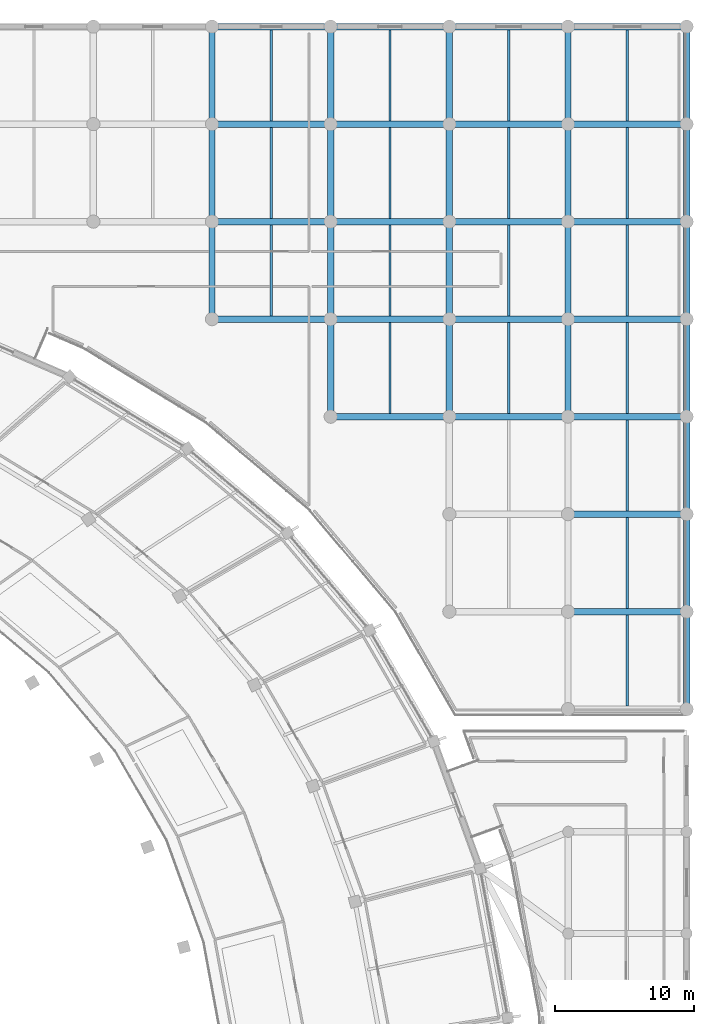
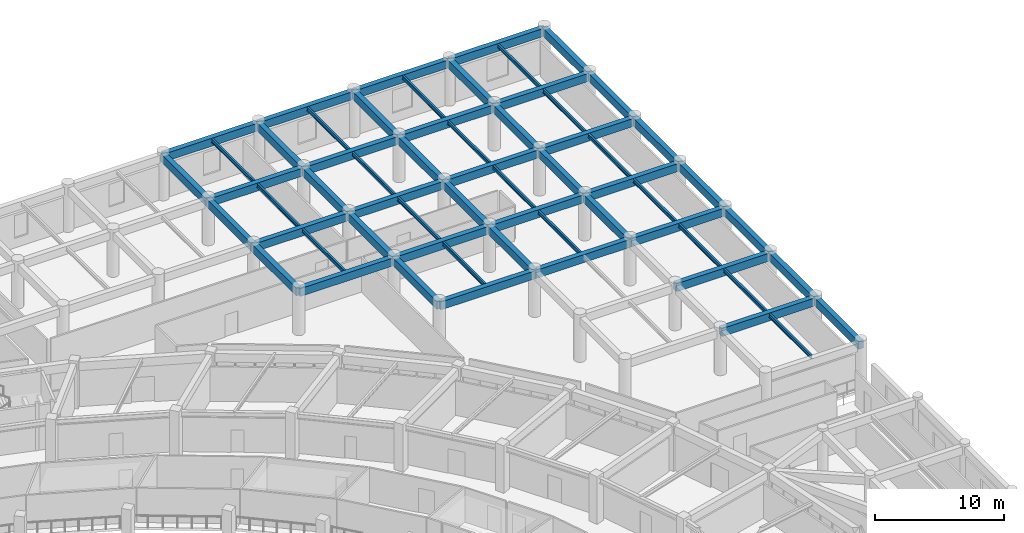
# One storey, part 70 of 141: 61 beams.
"""IFC4 building model written with IfcOpenShell, lengths in metres."""

import ifcopenshell
import ifcopenshell.guid

model = None  # the IFC model being written
_history = None  # IfcOwnerHistory: only IFC2X3 demands one
_inside = {}  # id of a spatial element -> (the spatial element, [elements in it])
_under = {}  # id of a project, library or spatial element -> (it, [spatial elements below it])
_declared = {}  # id of a project -> (the project, [libraries it declares])
_typed = {}  # id of a type object -> (the type object, [elements of that type])
_made_of = {}  # id of a material, layer set ... -> (it, [elements and type objects made of it])


def new_model(schema):
    """Start an empty IFC model of exactly this schema.

    Asked for "IFC4X3", IfcOpenShell would pick the latest addendum, in which some entities
    have other attributes; the version numbers below select the first issue.
    IFC2X3 requires an IfcOwnerHistory on every rooted entity: one is made here for all.
    """
    global model, _history
    if schema == "IFC4X3":
        model = ifcopenshell.file(schema_version=(4, 3, 0, 0))
    else:
        model = ifcopenshell.file(schema=schema)
    _inside.clear()
    _under.clear()
    _declared.clear()
    _typed.clear()
    _made_of.clear()
    _history = None
    if model.schema == "IFC2X3":
        org = make("IfcOrganization", Name="unknown")
        user = make(
            "IfcPersonAndOrganization",
            ThePerson=make("IfcPerson", FamilyName="unknown"),
            TheOrganization=org,
        )
        app = make(
            "IfcApplication",
            ApplicationDeveloper=org,
            Version="unknown",
            ApplicationFullName="unknown",
            ApplicationIdentifier="unknown",
        )
        _history = make(
            "IfcOwnerHistory",
            OwningUser=user,
            OwningApplication=app,
            ChangeAction="ADDED",
            CreationDate=0,
        )
    return model


def make(cls, **values):
    """One entity of the class cls with the attributes given. An attribute that is None is left unset."""
    return model.create_entity(
        cls, **{name: value for name, value in values.items() if value is not None}
    )


def rooted(cls, **values):
    """An entity with a GlobalId (a new one), such as an element, a storey or a relation."""
    return make(cls, GlobalId=ifcopenshell.guid.new(), OwnerHistory=_history, **values)


def si_unit(unit_type, name, prefix=None):
    """IfcSIUnit, for example si_unit("LENGTHUNIT", "METRE", prefix="MILLI")."""
    return make("IfcSIUnit", UnitType=unit_type, Prefix=prefix, Name=name)


def assignment(units):
    """IfcUnitAssignment: the units of a project."""
    return None if units is None else make("IfcUnitAssignment", Units=units)


def point(xyz):
    """IfcCartesianPoint."""
    return None if xyz is None else make("IfcCartesianPoint", Coordinates=xyz)


def direction(xyz):
    """IfcDirection."""
    return None if xyz is None else make("IfcDirection", DirectionRatios=xyz)


def frame(location, z_axis=None, x_axis=None):
    """IfcAxis2Placement3D, a coordinate frame: its origin and axes. An axis left out is left unset."""
    return make(
        "IfcAxis2Placement3D",
        Location=point(location),
        Axis=direction(z_axis),
        RefDirection=direction(x_axis),
    )


def frame_2d(location, x_axis=None):
    """IfcAxis2Placement2D, a coordinate frame in the plane: its origin and x axis."""
    return make(
        "IfcAxis2Placement2D", Location=point(location), RefDirection=direction(x_axis)
    )


def origin():
    """The frame at (0, 0, 0) with its axes left unset."""
    return frame((0.0, 0.0, 0.0))


def origin_2d():
    """The frame at (0, 0) in the plane with its x axis left unset."""
    return frame_2d((0.0, 0.0))


def place(relative_to, where):
    """IfcLocalPlacement: puts the frame where relative to a parent placement (None: the world)."""
    return make(
        "IfcLocalPlacement", PlacementRelTo=relative_to, RelativePlacement=where
    )


def context(
    kind, dimensions, precision=None, world=None, true_north=None, identifier=None
):
    """IfcGeometricRepresentationContext, for example the 3D "Model" context."""
    return make(
        "IfcGeometricRepresentationContext",
        ContextIdentifier=identifier,
        ContextType=kind,
        CoordinateSpaceDimension=dimensions,
        Precision=precision,
        WorldCoordinateSystem=world,
        TrueNorth=true_north,
    )


def subcontext(parent, identifier, kind, view, scale=None):
    """IfcGeometricRepresentationSubContext, for example "Body" below "Model"."""
    return make(
        "IfcGeometricRepresentationSubContext",
        ContextIdentifier=identifier,
        ContextType=kind,
        ParentContext=parent,
        TargetScale=scale,
        TargetView=view,
    )


def project(units=None, contexts=None):
    """IfcProject with its units and contexts."""
    return rooted(
        "IfcProject",
        Name="project",
        RepresentationContexts=contexts,
        UnitsInContext=assignment(units),
    )


def spatial(cls, under=None, at=None, **own):
    """A site, building, storey or space (cls), placed at a placement, below another one or the project."""
    s = rooted(cls, ObjectPlacement=at, **own)
    if under is not None:
        _under.setdefault(under.id(), (under, []))[1].append(s)
    return s


def profile(cls, at=None, kind="AREA", **sizes):
    """A parametric profile (cls). Its sizes go by their IFC names, for example OverallWidth=200.0."""
    return make(cls, ProfileType=kind, Position=at, **sizes)


def rectangle(**sizes):
    """IfcRectangleProfileDef."""
    return profile("IfcRectangleProfileDef", **sizes)


def i_section(**sizes):
    """IfcIShapeProfileDef."""
    return profile("IfcIShapeProfileDef", **sizes)


def extrude(swept, where, along, depth):
    """IfcExtrudedAreaSolid: the profile swept, set in the frame where, extruded along a direction by depth."""
    return make(
        "IfcExtrudedAreaSolid",
        SweptArea=swept,
        Position=where,
        ExtrudedDirection=direction(along),
        Depth=depth,
    )


def shape(context_of_items, identifier, shape_type, items):
    """IfcShapeRepresentation: the items that make up one representation, for example the "Body"."""
    return make(
        "IfcShapeRepresentation",
        ContextOfItems=context_of_items,
        RepresentationIdentifier=identifier,
        RepresentationType=shape_type,
        Items=items,
    )


def material(Name=None, Category=None):
    """IfcMaterial."""
    return make("IfcMaterial", Name=Name, Category=Category)


def material_profile(
    of_material, cross_section, Name=None, Category=None, Priority=None
):
    """IfcMaterialProfile: a cross section and its material."""
    return make(
        "IfcMaterialProfile",
        Name=Name,
        Material=of_material,
        Profile=cross_section,
        Priority=Priority,
        Category=Category,
    )


def profile_set(profiles, Name=None, composite=None):
    """IfcMaterialProfileSet."""
    return make(
        "IfcMaterialProfileSet",
        Name=Name,
        MaterialProfiles=profiles,
        CompositeProfile=composite,
    )


def made_of(thing, what):
    """Note that an element or type object is made of a material, layer set ...; save() writes the relation."""
    if what is not None:
        _made_of.setdefault(what.id(), (what, []))[1].append(thing)
    return thing


def type_object(cls, material=None, **own):
    """A type object (cls), such as IfcWallType, which elements share."""
    return made_of(rooted(cls, **own), material)


def element(
    cls,
    number,
    at=None,
    inside=None,
    cuts=None,
    type_object=None,
    material=None,
    context=None,
    identifier="Body",
    shape_type=None,
    held_by="IfcProductDefinitionShape",
    body=None,
    shapes=None,
    **own,
):
    """One element of the class cls, such as IfcWall. Its Tag is "e" and its number.

    at: its placement. inside: the storey or other place that contains it. cuts: it is an
    opening in that element (IfcRelVoidsElement). A single representation is given by context,
    identifier, shape_type and body (its items); several are given by shapes. held_by: the class
    of the entity that holds the representations. save() writes the other relations.
    """
    e = rooted(cls, Tag="e%d" % number, ObjectPlacement=at, **own)
    if body is not None:
        shapes = [shape(context, identifier, shape_type, body)]
    if shapes is not None:
        e.Representation = make(held_by, Representations=shapes)
    if inside is not None:
        _inside.setdefault(inside.id(), (inside, []))[1].append(e)
    if cuts is not None:
        rooted(
            "IfcRelVoidsElement", RelatingBuildingElement=cuts, RelatedOpeningElement=e
        )
    if type_object is not None:
        _typed.setdefault(type_object.id(), (type_object, []))[1].append(e)
    return made_of(e, material)


def aggregate(whole, parts):
    """IfcRelAggregates: a whole, such as a stair, and the parts it consists of."""
    return rooted("IfcRelAggregates", RelatingObject=whole, RelatedObjects=parts)


def save(model, path):
    """Write the relations noted so far, then the file.

    IfcRelAggregates (storeys below a building ...), IfcRelContainedInSpatialStructure (elements
    in a storey), IfcRelDefinesByType, IfcRelAssociatesMaterial and IfcRelDeclares: one each for
    every whole, place, type object, material and project.
    """
    for whole, parts in _under.values():
        aggregate(whole, parts)
    for where, things in _inside.values():
        rooted(
            "IfcRelContainedInSpatialStructure",
            RelatedElements=things,
            RelatingStructure=where,
        )
    for kind, things in _typed.values():
        rooted("IfcRelDefinesByType", RelatedObjects=things, RelatingType=kind)
    for what, things in _made_of.values():
        rooted("IfcRelAssociatesMaterial", RelatedObjects=things, RelatingMaterial=what)
    for by, libraries in _declared.values():
        rooted("IfcRelDeclares", RelatingContext=by, RelatedDefinitions=libraries)
    model.write(path)


model = new_model("IFC4")

# Units and contexts
model_context = context("Model", 3, precision=1e-05, world=origin(), true_north=direction((0.0, 1.0)))
body_context = subcontext(model_context, "Body", "Model", "MODEL_VIEW")
ifc_project = project(units=[si_unit("LENGTHUNIT", "METRE"), si_unit("AREAUNIT", "SQUARE_METRE"), si_unit("VOLUMEUNIT", "CUBIC_METRE"), si_unit("PLANEANGLEUNIT", "RADIAN"), si_unit("MASSUNIT", "GRAM", prefix="KILO")], contexts=[model_context])

# Site, building, storey
site_placement = place(None, origin())
site = spatial("IfcSite", under=ifc_project, at=site_placement, CompositionType="ELEMENT")
building_placement = place(site_placement, origin())
building = spatial("IfcBuilding", under=site, at=building_placement, Name="Mphavela Belvedere Stadium", CompositionType="ELEMENT")
storey_placement = place(building_placement, frame((0.0, 0.0, 14.699951171875)))
storey = spatial("IfcBuildingStorey", under=building, at=storey_placement, Name="L03", CompositionType="ELEMENT", Elevation=14.699951171875)

# Beams
ifc_material_1 = material(Name="Steel S355", Category="steel")
ifc_material_profile_1 = material_profile(ifc_material_1, i_section(OverallWidth=0.169921875, OverallDepth=0.360107421875, WebThickness=0.008056640625, FlangeThickness=0.0126953125, at=origin_2d()), Name="IPE 360")
ifc_profile_set_1 = profile_set([ifc_material_profile_1], Name="Steel S355")
beam_type_1 = type_object("IfcBeamType", Name="BM-JOIST-IPE360", PredefinedType="JOIST", material=ifc_profile_set_1)
for number, where, z_axis, x_axis, name in (
    (1, (200.18505859375, 153.22509765625, 4.06005859375), (0.0, 1.0, 0.0), (-1.0, 0.0, 0.0), "North Mast and Ceremonial End Forecourt secondary joist L03 24-5"),
    (2, (200.18505859375, 160.22509765625, 4.06005859375), (0.0, 1.0, 0.0), (-1.0, 0.0, 0.0), "North Mast and Ceremonial End Forecourt secondary joist L03 24-6"),
    (3, (200.18505859375, 167.22509765625, 4.06005859375), (0.0, 1.0, 0.0), (-1.0, 0.0, 0.0), "North Mast and Ceremonial End Forecourt secondary joist L03 24-7"),
    (4, (208.70361328125, 146.22509765625, 4.06005859375), (0.0, 1.0, 0.0), (-1.0, 0.0, 0.0), "North Mast and Ceremonial End Forecourt secondary joist L03 25-4"),
    (5, (208.70361328125, 153.22509765625, 4.06005859375), (0.0, 1.0, 0.0), (-1.0, 0.0, 0.0), "North Mast and Ceremonial End Forecourt secondary joist L03 25-5"),
    (6, (208.70361328125, 160.22509765625, 4.06005859375), (0.0, 1.0, 0.0), (-1.0, 0.0, 0.0), "North Mast and Ceremonial End Forecourt secondary joist L03 25-6"),
    (7, (208.70361328125, 167.22509765625, 4.06005859375), (0.0, 1.0, 0.0), (-1.0, 0.0, 0.0), "North Mast and Ceremonial End Forecourt secondary joist L03 25-7"),
    (8, (217.221923828125, 146.22509765625, 4.06005859375), (0.0, 1.0, 0.0), (-1.0, 0.0, 0.0), "North Mast and Ceremonial End Forecourt secondary joist L03 26-4"),
    (9, (217.221923828125, 153.22509765625, 4.06005859375), (0.0, 1.0, 0.0), (-1.0, 0.0, 0.0), "North Mast and Ceremonial End Forecourt secondary joist L03 26-5"),
    (10, (217.221923828125, 160.22509765625, 4.06005859375), (0.0, 1.0, 0.0), (-1.0, 0.0, 0.0), "North Mast and Ceremonial End Forecourt secondary joist L03 26-6"),
    (11, (217.221923828125, 167.22509765625, 4.06005859375), (0.0, 1.0, 0.0), (-1.0, 0.0, 0.0), "North Mast and Ceremonial End Forecourt secondary joist L03 26-7"),
    (12, (225.740478515625, 125.22509765625, 4.06005859375), (0.0, 1.0, 0.0), (-1.0, 0.0, 0.0), "North Mast and Ceremonial End Forecourt secondary joist L03 27-1"),
    (13, (225.740478515625, 132.22509765625, 4.06005859375), (0.0, 1.0, 0.0), (-1.0, 0.0, 0.0), "North Mast and Ceremonial End Forecourt secondary joist L03 27-2"),
    (14, (225.740478515625, 139.22509765625, 4.06005859375), (0.0, 1.0, 0.0), (-1.0, 0.0, 0.0), "North Mast and Ceremonial End Forecourt secondary joist L03 27-3"),
    (15, (225.740478515625, 146.22509765625, 4.06005859375), (0.0, 1.0, 0.0), (-1.0, 0.0, 0.0), "North Mast and Ceremonial End Forecourt secondary joist L03 27-4"),
    (16, (225.740478515625, 153.22509765625, 4.06005859375), (0.0, 1.0, 0.0), (-1.0, 0.0, 0.0), "North Mast and Ceremonial End Forecourt secondary joist L03 27-5"),
    (17, (225.740478515625, 160.22509765625, 4.06005859375), (0.0, 1.0, 0.0), (-1.0, 0.0, 0.0), "North Mast and Ceremonial End Forecourt secondary joist L03 27-6"),
    (18, (225.740478515625, 167.22509765625, 4.06005859375), (0.0, 1.0, 0.0), (-1.0, 0.0, 0.0), "North Mast and Ceremonial End Forecourt secondary joist L03 27-7"),
):
    element("IfcBeam", number, at=place(storey_placement, frame(where, z_axis=z_axis, x_axis=x_axis)), inside=storey, type_object=beam_type_1, Name=name, PredefinedType="JOIST", context=body_context, shape_type="SweptSolid", body=[
        extrude(i_section(OverallWidth=0.169921875, OverallDepth=0.360107421875, WebThickness=0.008056640625, FlangeThickness=0.0126953125, at=origin_2d()), origin(), (0.0, 0.0, 1.0), 6.5498046875),
    ])
ifc_material_2 = material(Name="Concrete C40/50", Category="concrete")
ifc_material_profile_2 = material_profile(ifc_material_2, rectangle(XDim=0.449951171875, YDim=0.75, at=origin_2d()), Name="RC 450x750")
ifc_profile_set_2 = profile_set([ifc_material_profile_2], Name="Concrete C40/50")
beam_type_2 = type_object("IfcBeamType", Name="BM-RC450x750", PredefinedType="BEAM", material=ifc_profile_set_2)
beam_1_placement = place(storey_placement, frame((195.926025390625, 153.0, 3.864990234375), z_axis=(1.0, 0.0, 0.0), x_axis=(0.0, 1.0, 0.0)))
element("IfcBeam", 19, at=beam_1_placement, inside=storey, type_object=beam_type_2, Name="North Mast and Ceremonial End Forecourt entablature beam X L03 24-5", PredefinedType="BEAM", context=body_context, shape_type="SweptSolid", body=[
    extrude(rectangle(XDim=0.449951171875, YDim=0.75, at=origin_2d()), origin(), (0.0, 0.0, 1.0), 8.51806640625),
])
beam_2_placement = place(storey_placement, frame((195.926025390625, 153.0, 3.864990234375), z_axis=(0.0, 1.0, 0.0), x_axis=(-1.0, 0.0, 0.0)))
element("IfcBeam", 20, at=beam_2_placement, inside=storey, type_object=beam_type_2, Name="North Mast and Ceremonial End Forecourt entablature beam Y L03 24-5", PredefinedType="BEAM", context=body_context, shape_type="SweptSolid", body=[
    extrude(rectangle(XDim=0.449951171875, YDim=0.75, at=origin_2d()), origin(), (0.0, 0.0, 1.0), 7.0),
])
beam_3_placement = place(storey_placement, frame((195.926025390625, 160.0, 3.864990234375), z_axis=(1.0, 0.0, 0.0), x_axis=(0.0, 1.0, 0.0)))
element("IfcBeam", 21, at=beam_3_placement, inside=storey, type_object=beam_type_2, Name="North Mast and Ceremonial End Forecourt entablature beam X L03 24-6", PredefinedType="BEAM", context=body_context, shape_type="SweptSolid", body=[
    extrude(rectangle(XDim=0.449951171875, YDim=0.75, at=origin_2d()), origin(), (0.0, 0.0, 1.0), 8.51806640625),
])
beam_4_placement = place(storey_placement, frame((195.926025390625, 160.0, 3.864990234375), z_axis=(0.0, 1.0, 0.0), x_axis=(-1.0, 0.0, 0.0)))
element("IfcBeam", 22, at=beam_4_placement, inside=storey, type_object=beam_type_2, Name="North Mast and Ceremonial End Forecourt entablature beam Y L03 24-6", PredefinedType="BEAM", context=body_context, shape_type="SweptSolid", body=[
    extrude(rectangle(XDim=0.449951171875, YDim=0.75, at=origin_2d()), origin(), (0.0, 0.0, 1.0), 7.0),
])
beam_5_placement = place(storey_placement, frame((195.926025390625, 167.0, 3.864990234375), z_axis=(1.0, 0.0, 0.0), x_axis=(0.0, 1.0, 0.0)))
element("IfcBeam", 23, at=beam_5_placement, inside=storey, type_object=beam_type_2, Name="North Mast and Ceremonial End Forecourt entablature beam X L03 24-7", PredefinedType="BEAM", context=body_context, shape_type="SweptSolid", body=[
    extrude(rectangle(XDim=0.449951171875, YDim=0.75, at=origin_2d()), origin(), (0.0, 0.0, 1.0), 8.51806640625),
])
beam_6_placement = place(storey_placement, frame((195.926025390625, 167.0, 3.864990234375), z_axis=(0.0, 1.0, 0.0), x_axis=(-1.0, 0.0, 0.0)))
element("IfcBeam", 24, at=beam_6_placement, inside=storey, type_object=beam_type_2, Name="North Mast and Ceremonial End Forecourt entablature beam Y L03 24-7", PredefinedType="BEAM", context=body_context, shape_type="SweptSolid", body=[
    extrude(rectangle(XDim=0.449951171875, YDim=0.75, at=origin_2d()), origin(), (0.0, 0.0, 1.0), 7.0),
])
beam_7_placement = place(storey_placement, frame((195.926025390625, 174.0, 3.864990234375), z_axis=(1.0, 0.0, 0.0), x_axis=(0.0, 1.0, 0.0)))
element("IfcBeam", 25, at=beam_7_placement, inside=storey, type_object=beam_type_2, Name="North Mast and Ceremonial End Forecourt entablature beam X L03 24-8", PredefinedType="BEAM", context=body_context, shape_type="SweptSolid", body=[
    extrude(rectangle(XDim=0.449951171875, YDim=0.75, at=origin_2d()), origin(), (0.0, 0.0, 1.0), 8.51806640625),
])
beam_8_placement = place(storey_placement, frame((204.444091796875, 146.0, 3.864990234375), z_axis=(1.0, 0.0, 0.0), x_axis=(0.0, 1.0, 0.0)))
element("IfcBeam", 26, at=beam_8_placement, inside=storey, type_object=beam_type_2, Name="North Mast and Ceremonial End Forecourt entablature beam X L03 25-4", PredefinedType="BEAM", context=body_context, shape_type="SweptSolid", body=[
    extrude(rectangle(XDim=0.449951171875, YDim=0.75, at=origin_2d()), origin(), (0.0, 0.0, 1.0), 8.518798828125),
])
beam_9_placement = place(storey_placement, frame((204.444091796875, 146.0, 3.864990234375), z_axis=(0.0, 1.0, 0.0), x_axis=(-1.0, 0.0, 0.0)))
element("IfcBeam", 27, at=beam_9_placement, inside=storey, type_object=beam_type_2, Name="North Mast and Ceremonial End Forecourt entablature beam Y L03 25-4", PredefinedType="BEAM", context=body_context, shape_type="SweptSolid", body=[
    extrude(rectangle(XDim=0.449951171875, YDim=0.75, at=origin_2d()), origin(), (0.0, 0.0, 1.0), 7.0),
])
beam_10_placement = place(storey_placement, frame((204.444091796875, 153.0, 3.864990234375), z_axis=(1.0, 0.0, 0.0), x_axis=(0.0, 1.0, 0.0)))
element("IfcBeam", 28, at=beam_10_placement, inside=storey, type_object=beam_type_2, Name="North Mast and Ceremonial End Forecourt entablature beam X L03 25-5", PredefinedType="BEAM", context=body_context, shape_type="SweptSolid", body=[
    extrude(rectangle(XDim=0.449951171875, YDim=0.75, at=origin_2d()), origin(), (0.0, 0.0, 1.0), 8.518798828125),
])
beam_11_placement = place(storey_placement, frame((204.444091796875, 153.0, 3.864990234375), z_axis=(0.0, 1.0, 0.0), x_axis=(-1.0, 0.0, 0.0)))
element("IfcBeam", 29, at=beam_11_placement, inside=storey, type_object=beam_type_2, Name="North Mast and Ceremonial End Forecourt entablature beam Y L03 25-5", PredefinedType="BEAM", context=body_context, shape_type="SweptSolid", body=[
    extrude(rectangle(XDim=0.449951171875, YDim=0.75, at=origin_2d()), origin(), (0.0, 0.0, 1.0), 7.0),
])
beam_12_placement = place(storey_placement, frame((204.444091796875, 160.0, 3.864990234375), z_axis=(1.0, 0.0, 0.0), x_axis=(0.0, 1.0, 0.0)))
element("IfcBeam", 30, at=beam_12_placement, inside=storey, type_object=beam_type_2, Name="North Mast and Ceremonial End Forecourt entablature beam X L03 25-6", PredefinedType="BEAM", context=body_context, shape_type="SweptSolid", body=[
    extrude(rectangle(XDim=0.449951171875, YDim=0.75, at=origin_2d()), origin(), (0.0, 0.0, 1.0), 8.518798828125),
])
beam_13_placement = place(storey_placement, frame((204.444091796875, 160.0, 3.864990234375), z_axis=(0.0, 1.0, 0.0), x_axis=(-1.0, 0.0, 0.0)))
element("IfcBeam", 31, at=beam_13_placement, inside=storey, type_object=beam_type_2, Name="North Mast and Ceremonial End Forecourt entablature beam Y L03 25-6", PredefinedType="BEAM", context=body_context, shape_type="SweptSolid", body=[
    extrude(rectangle(XDim=0.449951171875, YDim=0.75, at=origin_2d()), origin(), (0.0, 0.0, 1.0), 7.0),
])
beam_14_placement = place(storey_placement, frame((204.444091796875, 167.0, 3.864990234375), z_axis=(1.0, 0.0, 0.0), x_axis=(0.0, 1.0, 0.0)))
element("IfcBeam", 32, at=beam_14_placement, inside=storey, type_object=beam_type_2, Name="North Mast and Ceremonial End Forecourt entablature beam X L03 25-7", PredefinedType="BEAM", context=body_context, shape_type="SweptSolid", body=[
    extrude(rectangle(XDim=0.449951171875, YDim=0.75, at=origin_2d()), origin(), (0.0, 0.0, 1.0), 8.518798828125),
])
beam_15_placement = place(storey_placement, frame((204.444091796875, 167.0, 3.864990234375), z_axis=(0.0, 1.0, 0.0), x_axis=(-1.0, 0.0, 0.0)))
element("IfcBeam", 33, at=beam_15_placement, inside=storey, type_object=beam_type_2, Name="North Mast and Ceremonial End Forecourt entablature beam Y L03 25-7", PredefinedType="BEAM", context=body_context, shape_type="SweptSolid", body=[
    extrude(rectangle(XDim=0.449951171875, YDim=0.75, at=origin_2d()), origin(), (0.0, 0.0, 1.0), 7.0),
])
beam_16_placement = place(storey_placement, frame((204.444091796875, 174.0, 3.864990234375), z_axis=(1.0, 0.0, 0.0), x_axis=(0.0, 1.0, 0.0)))
element("IfcBeam", 34, at=beam_16_placement, inside=storey, type_object=beam_type_2, Name="North Mast and Ceremonial End Forecourt entablature beam X L03 25-8", PredefinedType="BEAM", context=body_context, shape_type="SweptSolid", body=[
    extrude(rectangle(XDim=0.449951171875, YDim=0.75, at=origin_2d()), origin(), (0.0, 0.0, 1.0), 8.518798828125),
])
beam_17_placement = place(storey_placement, frame((212.962890625, 146.0, 3.864990234375), z_axis=(1.0, 0.0, 0.0), x_axis=(0.0, 1.0, 0.0)))
element("IfcBeam", 35, at=beam_17_placement, inside=storey, type_object=beam_type_2, Name="North Mast and Ceremonial End Forecourt entablature beam X L03 26-4", PredefinedType="BEAM", context=body_context, shape_type="SweptSolid", body=[
    extrude(rectangle(XDim=0.449951171875, YDim=0.75, at=origin_2d()), origin(), (0.0, 0.0, 1.0), 8.51806640625),
])
beam_18_placement = place(storey_placement, frame((212.962890625, 146.0, 3.864990234375), z_axis=(0.0, 1.0, 0.0), x_axis=(-1.0, 0.0, 0.0)))
element("IfcBeam", 36, at=beam_18_placement, inside=storey, type_object=beam_type_2, Name="North Mast and Ceremonial End Forecourt entablature beam Y L03 26-4", PredefinedType="BEAM", context=body_context, shape_type="SweptSolid", body=[
    extrude(rectangle(XDim=0.449951171875, YDim=0.75, at=origin_2d()), origin(), (0.0, 0.0, 1.0), 7.0),
])
beam_19_placement = place(storey_placement, frame((212.962890625, 153.0, 3.864990234375), z_axis=(1.0, 0.0, 0.0), x_axis=(0.0, 1.0, 0.0)))
element("IfcBeam", 37, at=beam_19_placement, inside=storey, type_object=beam_type_2, Name="North Mast and Ceremonial End Forecourt entablature beam X L03 26-5", PredefinedType="BEAM", context=body_context, shape_type="SweptSolid", body=[
    extrude(rectangle(XDim=0.449951171875, YDim=0.75, at=origin_2d()), origin(), (0.0, 0.0, 1.0), 8.51806640625),
])
beam_20_placement = place(storey_placement, frame((212.962890625, 153.0, 3.864990234375), z_axis=(0.0, 1.0, 0.0), x_axis=(-1.0, 0.0, 0.0)))
element("IfcBeam", 38, at=beam_20_placement, inside=storey, type_object=beam_type_2, Name="North Mast and Ceremonial End Forecourt entablature beam Y L03 26-5", PredefinedType="BEAM", context=body_context, shape_type="SweptSolid", body=[
    extrude(rectangle(XDim=0.449951171875, YDim=0.75, at=origin_2d()), origin(), (0.0, 0.0, 1.0), 7.0),
])
beam_21_placement = place(storey_placement, frame((212.962890625, 160.0, 3.864990234375), z_axis=(1.0, 0.0, 0.0), x_axis=(0.0, 1.0, 0.0)))
element("IfcBeam", 39, at=beam_21_placement, inside=storey, type_object=beam_type_2, Name="North Mast and Ceremonial End Forecourt entablature beam X L03 26-6", PredefinedType="BEAM", context=body_context, shape_type="SweptSolid", body=[
    extrude(rectangle(XDim=0.449951171875, YDim=0.75, at=origin_2d()), origin(), (0.0, 0.0, 1.0), 8.51806640625),
])
beam_22_placement = place(storey_placement, frame((212.962890625, 160.0, 3.864990234375), z_axis=(0.0, 1.0, 0.0), x_axis=(-1.0, 0.0, 0.0)))
element("IfcBeam", 40, at=beam_22_placement, inside=storey, type_object=beam_type_2, Name="North Mast and Ceremonial End Forecourt entablature beam Y L03 26-6", PredefinedType="BEAM", context=body_context, shape_type="SweptSolid", body=[
    extrude(rectangle(XDim=0.449951171875, YDim=0.75, at=origin_2d()), origin(), (0.0, 0.0, 1.0), 7.0),
])
beam_23_placement = place(storey_placement, frame((212.962890625, 167.0, 3.864990234375), z_axis=(1.0, 0.0, 0.0), x_axis=(0.0, 1.0, 0.0)))
element("IfcBeam", 41, at=beam_23_placement, inside=storey, type_object=beam_type_2, Name="North Mast and Ceremonial End Forecourt entablature beam X L03 26-7", PredefinedType="BEAM", context=body_context, shape_type="SweptSolid", body=[
    extrude(rectangle(XDim=0.449951171875, YDim=0.75, at=origin_2d()), origin(), (0.0, 0.0, 1.0), 8.51806640625),
])
beam_24_placement = place(storey_placement, frame((212.962890625, 167.0, 3.864990234375), z_axis=(0.0, 1.0, 0.0), x_axis=(-1.0, 0.0, 0.0)))
element("IfcBeam", 42, at=beam_24_placement, inside=storey, type_object=beam_type_2, Name="North Mast and Ceremonial End Forecourt entablature beam Y L03 26-7", PredefinedType="BEAM", context=body_context, shape_type="SweptSolid", body=[
    extrude(rectangle(XDim=0.449951171875, YDim=0.75, at=origin_2d()), origin(), (0.0, 0.0, 1.0), 7.0),
])
beam_25_placement = place(storey_placement, frame((212.962890625, 174.0, 3.864990234375), z_axis=(1.0, 0.0, 0.0), x_axis=(0.0, 1.0, 0.0)))
element("IfcBeam", 43, at=beam_25_placement, inside=storey, type_object=beam_type_2, Name="North Mast and Ceremonial End Forecourt entablature beam X L03 26-8", PredefinedType="BEAM", context=body_context, shape_type="SweptSolid", body=[
    extrude(rectangle(XDim=0.449951171875, YDim=0.75, at=origin_2d()), origin(), (0.0, 0.0, 1.0), 8.51806640625),
])
for number, where, z_axis, x_axis, name in (
    (44, (221.48095703125, 132.0, 3.864990234375), (1.0, 0.0, 0.0), (0.0, 1.0, 0.0), "North Mast and Ceremonial End Forecourt entablature beam X L03 27-2"),
    (45, (221.48095703125, 139.0, 3.864990234375), (1.0, 0.0, 0.0), (0.0, 1.0, 0.0), "North Mast and Ceremonial End Forecourt entablature beam X L03 27-3"),
    (46, (221.48095703125, 146.0, 3.864990234375), (1.0, 0.0, 0.0), (0.0, 1.0, 0.0), "North Mast and Ceremonial End Forecourt entablature beam X L03 27-4"),
):
    element("IfcBeam", number, at=place(storey_placement, frame(where, z_axis=z_axis, x_axis=x_axis)), inside=storey, type_object=beam_type_2, Name=name, PredefinedType="BEAM", context=body_context, shape_type="SweptSolid", body=[
        extrude(rectangle(XDim=0.449951171875, YDim=0.75, at=origin_2d()), origin(), (0.0, 0.0, 1.0), 8.51904296875),
    ])
beam_26_placement = place(storey_placement, frame((221.48095703125, 146.0, 3.864990234375), z_axis=(0.0, 1.0, 0.0), x_axis=(-1.0, 0.0, 0.0)))
element("IfcBeam", 47, at=beam_26_placement, inside=storey, type_object=beam_type_2, Name="North Mast and Ceremonial End Forecourt entablature beam Y L03 27-4", PredefinedType="BEAM", context=body_context, shape_type="SweptSolid", body=[
    extrude(rectangle(XDim=0.449951171875, YDim=0.75, at=origin_2d()), origin(), (0.0, 0.0, 1.0), 7.0),
])
beam_27_placement = place(storey_placement, frame((221.48095703125, 153.0, 3.864990234375), z_axis=(1.0, 0.0, 0.0), x_axis=(0.0, 1.0, 0.0)))
element("IfcBeam", 48, at=beam_27_placement, inside=storey, type_object=beam_type_2, Name="North Mast and Ceremonial End Forecourt entablature beam X L03 27-5", PredefinedType="BEAM", context=body_context, shape_type="SweptSolid", body=[
    extrude(rectangle(XDim=0.449951171875, YDim=0.75, at=origin_2d()), origin(), (0.0, 0.0, 1.0), 8.51904296875),
])
beam_28_placement = place(storey_placement, frame((221.48095703125, 153.0, 3.864990234375), z_axis=(0.0, 1.0, 0.0), x_axis=(-1.0, 0.0, 0.0)))
element("IfcBeam", 49, at=beam_28_placement, inside=storey, type_object=beam_type_2, Name="North Mast and Ceremonial End Forecourt entablature beam Y L03 27-5", PredefinedType="BEAM", context=body_context, shape_type="SweptSolid", body=[
    extrude(rectangle(XDim=0.449951171875, YDim=0.75, at=origin_2d()), origin(), (0.0, 0.0, 1.0), 7.0),
])
beam_29_placement = place(storey_placement, frame((221.48095703125, 160.0, 3.864990234375), z_axis=(1.0, 0.0, 0.0), x_axis=(0.0, 1.0, 0.0)))
element("IfcBeam", 50, at=beam_29_placement, inside=storey, type_object=beam_type_2, Name="North Mast and Ceremonial End Forecourt entablature beam X L03 27-6", PredefinedType="BEAM", context=body_context, shape_type="SweptSolid", body=[
    extrude(rectangle(XDim=0.449951171875, YDim=0.75, at=origin_2d()), origin(), (0.0, 0.0, 1.0), 8.51904296875),
])
beam_30_placement = place(storey_placement, frame((221.48095703125, 160.0, 3.864990234375), z_axis=(0.0, 1.0, 0.0), x_axis=(-1.0, 0.0, 0.0)))
element("IfcBeam", 51, at=beam_30_placement, inside=storey, type_object=beam_type_2, Name="North Mast and Ceremonial End Forecourt entablature beam Y L03 27-6", PredefinedType="BEAM", context=body_context, shape_type="SweptSolid", body=[
    extrude(rectangle(XDim=0.449951171875, YDim=0.75, at=origin_2d()), origin(), (0.0, 0.0, 1.0), 7.0),
])
beam_31_placement = place(storey_placement, frame((221.48095703125, 167.0, 3.864990234375), z_axis=(1.0, 0.0, 0.0), x_axis=(0.0, 1.0, 0.0)))
element("IfcBeam", 52, at=beam_31_placement, inside=storey, type_object=beam_type_2, Name="North Mast and Ceremonial End Forecourt entablature beam X L03 27-7", PredefinedType="BEAM", context=body_context, shape_type="SweptSolid", body=[
    extrude(rectangle(XDim=0.449951171875, YDim=0.75, at=origin_2d()), origin(), (0.0, 0.0, 1.0), 8.51904296875),
])
beam_32_placement = place(storey_placement, frame((221.48095703125, 167.0, 3.864990234375), z_axis=(0.0, 1.0, 0.0), x_axis=(-1.0, 0.0, 0.0)))
element("IfcBeam", 53, at=beam_32_placement, inside=storey, type_object=beam_type_2, Name="North Mast and Ceremonial End Forecourt entablature beam Y L03 27-7", PredefinedType="BEAM", context=body_context, shape_type="SweptSolid", body=[
    extrude(rectangle(XDim=0.449951171875, YDim=0.75, at=origin_2d()), origin(), (0.0, 0.0, 1.0), 7.0),
])
beam_33_placement = place(storey_placement, frame((221.48095703125, 174.0, 3.864990234375), z_axis=(1.0, 0.0, 0.0), x_axis=(0.0, 1.0, 0.0)))
element("IfcBeam", 54, at=beam_33_placement, inside=storey, type_object=beam_type_2, Name="North Mast and Ceremonial End Forecourt entablature beam X L03 27-8", PredefinedType="BEAM", context=body_context, shape_type="SweptSolid", body=[
    extrude(rectangle(XDim=0.449951171875, YDim=0.75, at=origin_2d()), origin(), (0.0, 0.0, 1.0), 8.51904296875),
])
for number, where, z_axis, x_axis, name in (
    (55, (230.0, 125.0, 3.864990234375), (0.0, 1.0, 0.0), (-1.0, 0.0, 0.0), "North Mast and Ceremonial End Forecourt entablature beam Y L03 28-1"),
    (56, (230.0, 132.0, 3.864990234375), (0.0, 1.0, 0.0), (-1.0, 0.0, 0.0), "North Mast and Ceremonial End Forecourt entablature beam Y L03 28-2"),
    (57, (230.0, 139.0, 3.864990234375), (0.0, 1.0, 0.0), (-1.0, 0.0, 0.0), "North Mast and Ceremonial End Forecourt entablature beam Y L03 28-3"),
    (58, (230.0, 146.0, 3.864990234375), (0.0, 1.0, 0.0), (-1.0, 0.0, 0.0), "North Mast and Ceremonial End Forecourt entablature beam Y L03 28-4"),
    (59, (230.0, 153.0, 3.864990234375), (0.0, 1.0, 0.0), (-1.0, 0.0, 0.0), "North Mast and Ceremonial End Forecourt entablature beam Y L03 28-5"),
    (60, (230.0, 160.0, 3.864990234375), (0.0, 1.0, 0.0), (-1.0, 0.0, 0.0), "North Mast and Ceremonial End Forecourt entablature beam Y L03 28-6"),
    (61, (230.0, 167.0, 3.864990234375), (0.0, 1.0, 0.0), (-1.0, 0.0, 0.0), "North Mast and Ceremonial End Forecourt entablature beam Y L03 28-7"),
):
    element("IfcBeam", number, at=place(storey_placement, frame(where, z_axis=z_axis, x_axis=x_axis)), inside=storey, type_object=beam_type_2, Name=name, PredefinedType="BEAM", context=body_context, shape_type="SweptSolid", body=[
        extrude(rectangle(XDim=0.449951171875, YDim=0.75, at=origin_2d()), origin(), (0.0, 0.0, 1.0), 7.0),
    ])

save(model, "model.ifc")
